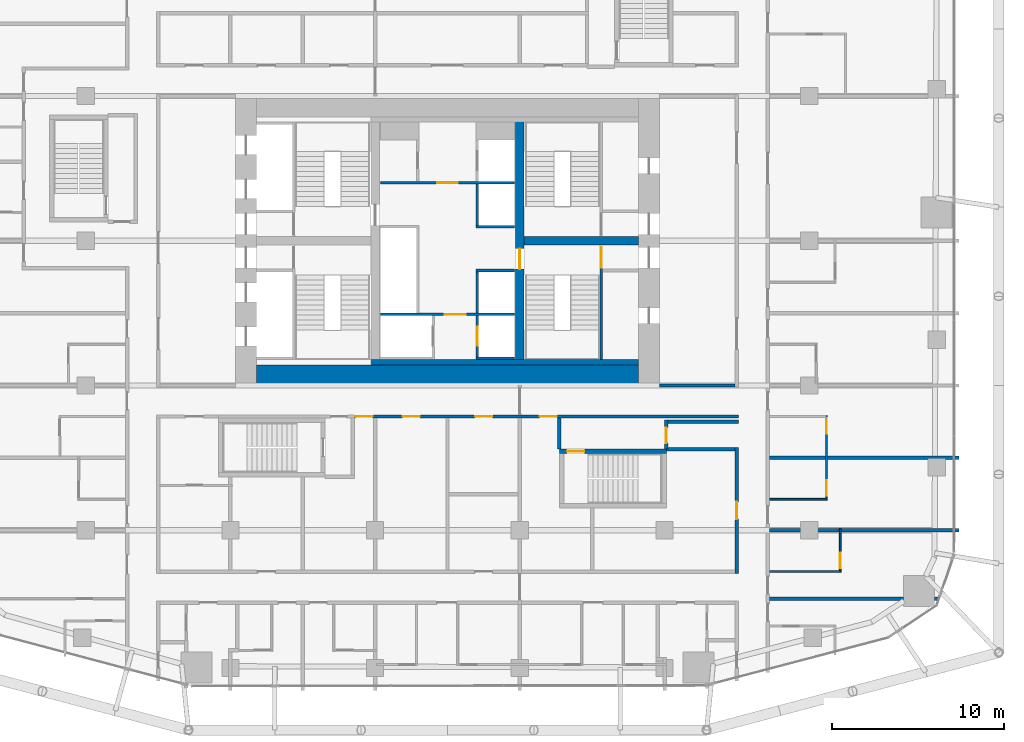
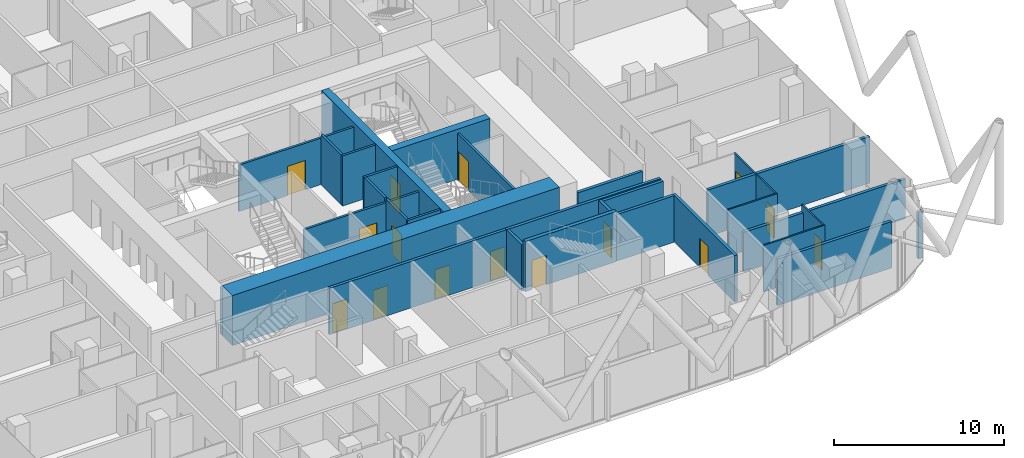
# One storey, part 31 of 38: 30 walls, 15 doors, 15 openings.
"""IFC4 building model written with IfcOpenShell, lengths in metres."""

import ifcopenshell
import ifcopenshell.guid

model = None  # the IFC model being written
_history = None  # IfcOwnerHistory: only IFC2X3 demands one
_inside = {}  # id of a spatial element -> (the spatial element, [elements in it])
_under = {}  # id of a project, library or spatial element -> (it, [spatial elements below it])
_declared = {}  # id of a project -> (the project, [libraries it declares])
_typed = {}  # id of a type object -> (the type object, [elements of that type])
_made_of = {}  # id of a material, layer set ... -> (it, [elements and type objects made of it])


def new_model(schema):
    """Start an empty IFC model of exactly this schema.

    Asked for "IFC4X3", IfcOpenShell would pick the latest addendum, in which some entities
    have other attributes; the version numbers below select the first issue.
    IFC2X3 requires an IfcOwnerHistory on every rooted entity: one is made here for all.
    """
    global model, _history
    if schema == "IFC4X3":
        model = ifcopenshell.file(schema_version=(4, 3, 0, 0))
    else:
        model = ifcopenshell.file(schema=schema)
    _inside.clear()
    _under.clear()
    _declared.clear()
    _typed.clear()
    _made_of.clear()
    _history = None
    if model.schema == "IFC2X3":
        org = make("IfcOrganization", Name="unknown")
        user = make(
            "IfcPersonAndOrganization",
            ThePerson=make("IfcPerson", FamilyName="unknown"),
            TheOrganization=org,
        )
        app = make(
            "IfcApplication",
            ApplicationDeveloper=org,
            Version="unknown",
            ApplicationFullName="unknown",
            ApplicationIdentifier="unknown",
        )
        _history = make(
            "IfcOwnerHistory",
            OwningUser=user,
            OwningApplication=app,
            ChangeAction="ADDED",
            CreationDate=0,
        )
    return model


def make(cls, **values):
    """One entity of the class cls with the attributes given. An attribute that is None is left unset."""
    return model.create_entity(
        cls, **{name: value for name, value in values.items() if value is not None}
    )


def rooted(cls, **values):
    """An entity with a GlobalId (a new one), such as an element, a storey or a relation."""
    return make(cls, GlobalId=ifcopenshell.guid.new(), OwnerHistory=_history, **values)


def si_unit(unit_type, name, prefix=None):
    """IfcSIUnit, for example si_unit("LENGTHUNIT", "METRE", prefix="MILLI")."""
    return make("IfcSIUnit", UnitType=unit_type, Prefix=prefix, Name=name)


def assignment(units):
    """IfcUnitAssignment: the units of a project."""
    return None if units is None else make("IfcUnitAssignment", Units=units)


def point(xyz):
    """IfcCartesianPoint."""
    return None if xyz is None else make("IfcCartesianPoint", Coordinates=xyz)


def direction(xyz):
    """IfcDirection."""
    return None if xyz is None else make("IfcDirection", DirectionRatios=xyz)


def frame(location, z_axis=None, x_axis=None):
    """IfcAxis2Placement3D, a coordinate frame: its origin and axes. An axis left out is left unset."""
    return make(
        "IfcAxis2Placement3D",
        Location=point(location),
        Axis=direction(z_axis),
        RefDirection=direction(x_axis),
    )


def frame_2d(location, x_axis=None):
    """IfcAxis2Placement2D, a coordinate frame in the plane: its origin and x axis."""
    return make(
        "IfcAxis2Placement2D", Location=point(location), RefDirection=direction(x_axis)
    )


def origin():
    """The frame at (0, 0, 0) with its axes left unset."""
    return frame((0.0, 0.0, 0.0))


def place(relative_to, where):
    """IfcLocalPlacement: puts the frame where relative to a parent placement (None: the world)."""
    return make(
        "IfcLocalPlacement", PlacementRelTo=relative_to, RelativePlacement=where
    )


def context(
    kind, dimensions, precision=None, world=None, true_north=None, identifier=None
):
    """IfcGeometricRepresentationContext, for example the 3D "Model" context."""
    return make(
        "IfcGeometricRepresentationContext",
        ContextIdentifier=identifier,
        ContextType=kind,
        CoordinateSpaceDimension=dimensions,
        Precision=precision,
        WorldCoordinateSystem=world,
        TrueNorth=true_north,
    )


def subcontext(parent, identifier, kind, view, scale=None):
    """IfcGeometricRepresentationSubContext, for example "Body" below "Model"."""
    return make(
        "IfcGeometricRepresentationSubContext",
        ContextIdentifier=identifier,
        ContextType=kind,
        ParentContext=parent,
        TargetScale=scale,
        TargetView=view,
    )


def project(units=None, contexts=None):
    """IfcProject with its units and contexts."""
    return rooted(
        "IfcProject",
        Name="project",
        RepresentationContexts=contexts,
        UnitsInContext=assignment(units),
    )


def spatial(cls, under=None, at=None, **own):
    """A site, building, storey or space (cls), placed at a placement, below another one or the project."""
    s = rooted(cls, ObjectPlacement=at, **own)
    if under is not None:
        _under.setdefault(under.id(), (under, []))[1].append(s)
    return s


def profile(cls, at=None, kind="AREA", **sizes):
    """A parametric profile (cls). Its sizes go by their IFC names, for example OverallWidth=200.0."""
    return make(cls, ProfileType=kind, Position=at, **sizes)


def rectangle(**sizes):
    """IfcRectangleProfileDef."""
    return profile("IfcRectangleProfileDef", **sizes)


def extrude(swept, where, along, depth):
    """IfcExtrudedAreaSolid: the profile swept, set in the frame where, extruded along a direction by depth."""
    return make(
        "IfcExtrudedAreaSolid",
        SweptArea=swept,
        Position=where,
        ExtrudedDirection=direction(along),
        Depth=depth,
    )


def shape(context_of_items, identifier, shape_type, items):
    """IfcShapeRepresentation: the items that make up one representation, for example the "Body"."""
    return make(
        "IfcShapeRepresentation",
        ContextOfItems=context_of_items,
        RepresentationIdentifier=identifier,
        RepresentationType=shape_type,
        Items=items,
    )


def material(Name=None, Category=None):
    """IfcMaterial."""
    return make("IfcMaterial", Name=Name, Category=Category)


def layer(
    of_material, thickness, ventilated=None, Name=None, Category=None, Priority=None
):
    """IfcMaterialLayer: one layer of a wall or slab, of a material (None: an air gap)."""
    return make(
        "IfcMaterialLayer",
        Material=of_material,
        LayerThickness=thickness,
        IsVentilated=ventilated,
        Name=Name,
        Category=Category,
        Priority=Priority,
    )


def layer_set(layers, Name=None):
    """IfcMaterialLayerSet."""
    return make("IfcMaterialLayerSet", MaterialLayers=layers, LayerSetName=Name)


def made_of(thing, what):
    """Note that an element or type object is made of a material, layer set ...; save() writes the relation."""
    if what is not None:
        _made_of.setdefault(what.id(), (what, []))[1].append(thing)
    return thing


def type_object(cls, material=None, **own):
    """A type object (cls), such as IfcWallType, which elements share."""
    return made_of(rooted(cls, **own), material)


def element(
    cls,
    number,
    at=None,
    inside=None,
    cuts=None,
    type_object=None,
    material=None,
    context=None,
    identifier="Body",
    shape_type=None,
    held_by="IfcProductDefinitionShape",
    body=None,
    shapes=None,
    **own,
):
    """One element of the class cls, such as IfcWall. Its Tag is "e" and its number.

    at: its placement. inside: the storey or other place that contains it. cuts: it is an
    opening in that element (IfcRelVoidsElement). A single representation is given by context,
    identifier, shape_type and body (its items); several are given by shapes. held_by: the class
    of the entity that holds the representations. save() writes the other relations.
    """
    e = rooted(cls, Tag="e%d" % number, ObjectPlacement=at, **own)
    if body is not None:
        shapes = [shape(context, identifier, shape_type, body)]
    if shapes is not None:
        e.Representation = make(held_by, Representations=shapes)
    if inside is not None:
        _inside.setdefault(inside.id(), (inside, []))[1].append(e)
    if cuts is not None:
        rooted(
            "IfcRelVoidsElement", RelatingBuildingElement=cuts, RelatedOpeningElement=e
        )
    if type_object is not None:
        _typed.setdefault(type_object.id(), (type_object, []))[1].append(e)
    return made_of(e, material)


def fill(opening, filler):
    """IfcRelFillsElement: the door or window that sits in an opening."""
    return rooted(
        "IfcRelFillsElement",
        RelatingOpeningElement=opening,
        RelatedBuildingElement=filler,
    )


def aggregate(whole, parts):
    """IfcRelAggregates: a whole, such as a stair, and the parts it consists of."""
    return rooted("IfcRelAggregates", RelatingObject=whole, RelatedObjects=parts)


def save(model, path):
    """Write the relations noted so far, then the file.

    IfcRelAggregates (storeys below a building ...), IfcRelContainedInSpatialStructure (elements
    in a storey), IfcRelDefinesByType, IfcRelAssociatesMaterial and IfcRelDeclares: one each for
    every whole, place, type object, material and project.
    """
    for whole, parts in _under.values():
        aggregate(whole, parts)
    for where, things in _inside.values():
        rooted(
            "IfcRelContainedInSpatialStructure",
            RelatedElements=things,
            RelatingStructure=where,
        )
    for kind, things in _typed.values():
        rooted("IfcRelDefinesByType", RelatedObjects=things, RelatingType=kind)
    for what, things in _made_of.values():
        rooted("IfcRelAssociatesMaterial", RelatedObjects=things, RelatingMaterial=what)
    for by, libraries in _declared.values():
        rooted("IfcRelDeclares", RelatingContext=by, RelatedDefinitions=libraries)
    model.write(path)


model = new_model("IFC4")

# Units and contexts
model_context = context("Model", 3, precision=1e-05, world=origin(), true_north=direction((0.0, 1.0)))
body_context = subcontext(model_context, "Body", "Model", "MODEL_VIEW")
ifc_project = project(units=[si_unit("LENGTHUNIT", "METRE"), si_unit("AREAUNIT", "SQUARE_METRE"), si_unit("VOLUMEUNIT", "CUBIC_METRE"), si_unit("PLANEANGLEUNIT", "RADIAN"), si_unit("MASSUNIT", "GRAM", prefix="KILO")], contexts=[model_context])

# Site, building, storey
site_placement = place(None, origin())
site = spatial("IfcSite", under=ifc_project, at=site_placement, CompositionType="ELEMENT")
building_placement = place(site_placement, origin())
building = spatial("IfcBuilding", under=site, at=building_placement, Name="Marenta Gate Hotel Tower", CompositionType="ELEMENT")
storey_placement = place(building_placement, frame((0.0, 0.0, 54.5)))
storey = spatial("IfcBuildingStorey", under=building, at=storey_placement, Name="L11", CompositionType="ELEMENT", Elevation=54.5)

# Walls
ifc_material_1 = material(Name="Concrete blockwork", Category="masonry")
ifc_layer_1 = layer(ifc_material_1, 0.199951171875)
ifc_layer_set_1 = layer_set([ifc_layer_1], Name="Concrete blockwork")
wall_type_1 = type_object("IfcWallType", Name="Core boundary wall 200 REI 180", PredefinedType="PARTITIONING", material=ifc_layer_set_1)
wall_1_placement = place(storey_placement, frame((12.300048828125, 0.0, 0.0), z_axis=(0.0, 0.0, 1.0), x_axis=(1.0, 0.0, 0.0)))
element("IfcWall", 1, at=wall_1_placement, inside=storey, type_object=wall_type_1, Name="L11-CP-EW-ES", PredefinedType="PARTITIONING", context=body_context, shape_type="SweptSolid", body=[
    extrude(rectangle(XDim=4.39990234375, YDim=0.199951171875, at=frame_2d((2.199951171875, 0.0))), origin(), (0.0, 0.0, 1.0), 2.840087890625),
])
ifc_material_2 = material(Name="Concrete C40", Category="concrete")
ifc_layer_2 = layer(ifc_material_2, 0.300048828125)
ifc_layer_set_2 = layer_set([ifc_layer_2], Name="Concrete C40")
wall_type_2 = type_object("IfcWallType", Name="Core lining wall 300 REI 180", PredefinedType="PARTITIONING", material=ifc_layer_set_2)
wall_2_placement = place(storey_placement, frame((-11.10009765625, 1.35009765625, 0.0), z_axis=(0.0, 0.0, 1.0), x_axis=(1.0, 0.0, 0.0)))
element("IfcWall", 2, at=wall_2_placement, inside=storey, type_object=wall_type_2, Name="L11-CP-LN-S", PredefinedType="PARTITIONING", context=body_context, shape_type="SweptSolid", body=[
    extrude(rectangle(XDim=22.2001953125, YDim=0.300048828125, at=frame_2d((11.10009765625, 0.0))), origin(), (0.0, 0.0, 1.0), 3.340087890625),
])

# Wall, opening, door
ifc_material_3 = material(Name="Concrete blockwork", Category="masonry")
ifc_layer_3 = layer(ifc_material_3, 0.14990234375)
ifc_layer_set_3 = layer_set([ifc_layer_3], Name="Concrete blockwork")
wall_type_3 = type_object("IfcWallType", Name="Core lobby partition 150 REI 180", PredefinedType="PARTITIONING", material=ifc_layer_set_3)
wall_3_placement = place(storey_placement, frame((-3.89990234375, 4.125, 0.0), z_axis=(0.0, 0.0, 1.0), x_axis=(1.0, 0.0, 0.0)))
wall_3 = element("IfcWall", 3, at=wall_3_placement, inside=storey, type_object=wall_type_3, Name="L11-CP-CW-S", PredefinedType="PARTITIONING", context=body_context, shape_type="SweptSolid", body=[
    extrude(rectangle(XDim=7.7998046875, YDim=0.14990234375, at=frame_2d((3.89990234375, 0.0))), origin(), (0.0, 0.0, 1.0), 3.340087890625),
])
opening_1_placement = place(wall_3_placement, frame((3.75, 0.0, 0.0)))
opening_1 = element("IfcOpeningElement", 4, at=opening_1_placement, cuts=wall_3, Name="Opening FD-FFS", PredefinedType="OPENING", context=body_context, shape_type="SweptSolid", body=[
    extrude(rectangle(XDim=1.199951171875, YDim=2.10009765625, at=frame_2d((0.60009765625, 1.050048828125))), frame((0.0, 0.074951171875, 0.0), z_axis=(0.0, -1.0, 0.0), x_axis=(1.0, 0.0, 0.0)), (0.0, 0.0, 1.0), 0.14990234375),
])
ifc_material_4 = material(Name="Steel", Category="steel")
door_type_1 = type_object("IfcDoorType", Name="Core lobby door 1200x2100 FD60", OperationType="SINGLE_SWING_LEFT", PredefinedType="DOOR", material=ifc_material_4)
door_1_placement = place(opening_1_placement, origin())
door_1 = element("IfcDoor", 5, at=door_1_placement, inside=storey, type_object=door_type_1, Name="FD-FFS", OperationType="SINGLE_SWING_LEFT", OverallHeight=2.10009765625, OverallWidth=1.199951171875, PredefinedType="DOOR", context=body_context, shape_type="SweptSolid", body=[
    extrude(rectangle(XDim=1.199951171875, YDim=2.10009765625, at=frame_2d((0.60009765625, 1.050048828125))), frame((0.0, 0.02490234375, 0.0), z_axis=(0.0, -1.0, 0.0), x_axis=(1.0, 0.0, 0.0)), (0.0, 0.0, 1.0), 0.050048828125),
])
fill(opening_1, door_1)

wall_4_placement = place(storey_placement, frame((-3.89990234375, 11.77490234375, 0.0), z_axis=(0.0, 0.0, 1.0), x_axis=(1.0, 0.0, 0.0)))
wall_4 = element("IfcWall", 6, at=wall_4_placement, inside=storey, type_object=wall_type_3, Name="L11-CP-CW-N", PredefinedType="PARTITIONING", context=body_context, shape_type="SweptSolid", body=[
    extrude(rectangle(XDim=7.7998046875, YDim=0.14990234375, at=frame_2d((3.89990234375, 0.0))), origin(), (0.0, 0.0, 1.0), 3.340087890625),
])
opening_2_placement = place(wall_4_placement, frame((3.300048828125, 0.0, 0.0)))
opening_2 = element("IfcOpeningElement", 7, at=opening_2_placement, cuts=wall_4, Name="Opening FD-FFN", PredefinedType="OPENING", context=body_context, shape_type="SweptSolid", body=[
    extrude(rectangle(XDim=1.199951171875, YDim=2.10009765625, at=frame_2d((0.60009765625, 1.050048828125))), frame((0.0, 0.074951171875, 0.0), z_axis=(0.0, -1.0, 0.0), x_axis=(1.0, 0.0, 0.0)), (0.0, 0.0, 1.0), 0.14990234375),
])
door_2_placement = place(opening_2_placement, origin())
door_2 = element("IfcDoor", 8, at=door_2_placement, inside=storey, type_object=door_type_1, Name="FD-FFN", OperationType="SINGLE_SWING_LEFT", OverallHeight=2.10009765625, OverallWidth=1.199951171875, PredefinedType="DOOR", context=body_context, shape_type="SweptSolid", body=[
    extrude(rectangle(XDim=1.199951171875, YDim=2.10009765625, at=frame_2d((0.60009765625, 1.050048828125))), frame((0.0, 0.02490234375, 0.0), z_axis=(0.0, -1.0, 0.0), x_axis=(1.0, 0.0, 0.0)), (0.0, 0.0, 1.0), 0.050048828125),
])
fill(opening_2, door_2)

ifc_material_5 = material(Name="Concrete C40", Category="concrete")
ifc_layer_4 = layer(ifc_material_5, 0.14990234375)
ifc_layer_set_4 = layer_set([ifc_layer_4], Name="Concrete C40")
wall_type_4 = type_object("IfcWallType", Name="Core shaft wall 150 REI 180", PredefinedType="SHEAR", material=ifc_layer_set_4)
wall_5_placement = place(storey_placement, frame((1.72509765625, 1.64990234375, 0.0), z_axis=(0.0, 0.0, 1.0), x_axis=(0.0, 1.0, 0.0)))
wall_5 = element("IfcWall", 9, at=wall_5_placement, inside=storey, type_object=wall_type_4, Name="L11-SHF-CE-S-ls", PredefinedType="SHEAR", context=body_context, shape_type="SweptSolid", body=[
    extrude(rectangle(XDim=2.400146484375, YDim=0.14990234375, at=frame_2d((1.2001953125, 0.0))), origin(), (0.0, 0.0, 1.0), 3.60009765625),
])
opening_3_placement = place(wall_5_placement, frame((0.64990234375, 0.0, 0.0)))
opening_3 = element("IfcOpeningElement", 10, at=opening_3_placement, cuts=wall_5, Name="Opening LD-SV1", PredefinedType="OPENING", context=body_context, shape_type="SweptSolid", body=[
    extrude(rectangle(XDim=1.10009765625, YDim=2.10009765625, at=frame_2d((0.550048828125, 1.050048828125))), frame((0.0, 0.074951171875, 0.0), z_axis=(0.0, -1.0, 0.0), x_axis=(1.0, 0.0, 0.0)), (0.0, 0.0, 1.0), 0.14990234375),
])
ifc_material_6 = material(Name="Steel", Category="steel")
door_type_2 = type_object("IfcDoorType", Name="Core lift landing door 1100x2100 E 60", OperationType="SLIDING_TO_LEFT", PredefinedType="DOOR", material=ifc_material_6)
door_3_placement = place(opening_3_placement, origin())
door_3 = element("IfcDoor", 11, at=door_3_placement, inside=storey, type_object=door_type_2, Name="LD-SV1", OperationType="SLIDING_TO_LEFT", OverallHeight=2.10009765625, OverallWidth=1.10009765625, PredefinedType="DOOR", context=body_context, shape_type="SweptSolid", body=[
    extrude(rectangle(XDim=1.10009765625, YDim=2.10009765625, at=frame_2d((0.550048828125, 1.050048828125))), frame((0.0, 0.02490234375, 0.0), z_axis=(0.0, -1.0, 0.0), x_axis=(1.0, 0.0, 0.0)), (0.0, 0.0, 1.0), 0.050048828125),
])
fill(opening_3, door_3)

# Walls
for number, where, z_axis, x_axis, name in (
    (12, (1.64990234375, 1.574951171875, 0.0), (0.0, 0.0, 1.0), (1.0, 0.0, 0.0), "L11-SHF-CE-S-bot"),
    (13, (1.64990234375, 6.675048828125, 0.0), (0.0, 0.0, 1.0), (1.0, 0.0, 0.0), "L11-SHF-CE-sep1"),
    (14, (1.64990234375, 9.22509765625, 0.0), (0.0, 0.0, 1.0), (1.0, 0.0, 0.0), "L11-SHF-CE-sep2"),
):
    element("IfcWall", number, at=place(storey_placement, frame(where, z_axis=z_axis, x_axis=x_axis)), inside=storey, type_object=wall_type_4, Name=name, PredefinedType="SHEAR", context=body_context, shape_type="SweptSolid", body=[
        extrude(rectangle(XDim=2.25, YDim=0.14990234375, at=frame_2d((1.125, 0.0))), origin(), (0.0, 0.0, 1.0), 3.60009765625),
    ])
wall_6_placement = place(storey_placement, frame((1.72509765625, 4.199951171875, 0.0), z_axis=(0.0, 0.0, 1.0), x_axis=(0.0, 1.0, 0.0)))
element("IfcWall", 15, at=wall_6_placement, inside=storey, type_object=wall_type_4, Name="L11-SHF-CE-front-1", PredefinedType="SHEAR", context=body_context, shape_type="SweptSolid", body=[
    extrude(rectangle(XDim=2.400146484375, YDim=0.14990234375, at=frame_2d((1.2001953125, 0.0))), origin(), (0.0, 0.0, 1.0), 3.60009765625),
])
wall_7_placement = place(storey_placement, frame((1.72509765625, 9.300048828125, 0.0), z_axis=(0.0, 0.0, 1.0), x_axis=(0.0, 1.0, 0.0)))
element("IfcWall", 16, at=wall_7_placement, inside=storey, type_object=wall_type_4, Name="L11-SHF-CE-front-2", PredefinedType="SHEAR", context=body_context, shape_type="SweptSolid", body=[
    extrude(rectangle(XDim=2.39990234375, YDim=0.14990234375, at=frame_2d((1.199951171875, 0.0))), origin(), (0.0, 0.0, 1.0), 3.60009765625),
])

# Wall, opening, door
ifc_material_7 = material(Name="Concrete C40", Category="concrete")
ifc_layer_5 = layer(ifc_material_7, 0.14990234375)
ifc_layer_set_5 = layer_set([ifc_layer_5], Name="Concrete C40")
wall_type_5 = type_object("IfcWallType", Name="Core stair enclosure wall 150 REI 180", PredefinedType="SHEAR", material=ifc_layer_set_5)
wall_8_placement = place(storey_placement, frame((8.925048828125, 1.5, 0.0), z_axis=(0.0, 0.0, 1.0), x_axis=(0.0, 1.0, 0.0)))
wall_8 = element("IfcWall", 17, at=wall_8_placement, inside=storey, type_object=wall_type_5, Name="L11-SHF-SW-ES-3", PredefinedType="SHEAR", context=body_context, shape_type="SweptSolid", body=[
    extrude(rectangle(XDim=6.60009765625, YDim=0.14990234375, at=frame_2d((3.300048828125, 0.0))), origin(), (0.0, 0.0, 1.0), 3.340087890625),
])
opening_4_placement = place(wall_8_placement, frame((5.324951171875, 0.0, 0.0)))
opening_4 = element("IfcOpeningElement", 18, at=opening_4_placement, cuts=wall_8, Name="Opening SD-ES", PredefinedType="OPENING", context=body_context, shape_type="SweptSolid", body=[
    extrude(rectangle(XDim=1.199951171875, YDim=2.10009765625, at=frame_2d((0.60009765625, 1.050048828125))), frame((0.0, 0.074951171875, 0.0), z_axis=(0.0, -1.0, 0.0), x_axis=(1.0, 0.0, 0.0)), (0.0, 0.0, 1.0), 0.14990234375),
])
ifc_material_8 = material(Name="Steel", Category="steel")
door_type_3 = type_object("IfcDoorType", Name="Core stair door 1200x2100 FD60", OperationType="SINGLE_SWING_LEFT", PredefinedType="DOOR", material=ifc_material_8)
door_4_placement = place(opening_4_placement, origin())
door_4 = element("IfcDoor", 19, at=door_4_placement, inside=storey, type_object=door_type_3, Name="SD-ES", OperationType="SINGLE_SWING_LEFT", OverallHeight=2.10009765625, OverallWidth=1.199951171875, PredefinedType="DOOR", context=body_context, shape_type="SweptSolid", body=[
    extrude(rectangle(XDim=1.199951171875, YDim=2.10009765625, at=frame_2d((0.60009765625, 1.050048828125))), frame((0.0, 0.02490234375, 0.0), z_axis=(0.0, -1.0, 0.0), x_axis=(1.0, 0.0, 0.0)), (0.0, 0.0, 1.0), 0.050048828125),
])
fill(opening_4, door_4)

# Wall
ifc_material_9 = material(Name="Concrete C80", Category="concrete")
ifc_layer_6 = layer(ifc_material_9, 1.199951171875)
ifc_layer_set_6 = layer_set([ifc_layer_6], Name="Concrete C80")
wall_type_6 = type_object("IfcWallType", Name="Core wall 1200 C80", PredefinedType="SHEAR", material=ifc_layer_set_6)
wall_9_placement = place(storey_placement, frame((-11.10009765625, 0.60009765625, 0.0), z_axis=(0.0, 0.0, 1.0), x_axis=(1.0, 0.0, 0.0)))
element("IfcWall", 20, at=wall_9_placement, inside=storey, type_object=wall_type_6, Name="L11-CORE-S", PredefinedType="SHEAR", context=body_context, shape_type="SweptSolid", body=[
    extrude(rectangle(XDim=22.2001953125, YDim=1.199951171875, at=frame_2d((11.10009765625, 0.0))), origin(), (0.0, 0.0, 1.0), 3.60009765625),
])

# Wall, opening, door
ifc_material_10 = material(Name="Concrete C80", Category="concrete")
ifc_layer_7 = layer(ifc_material_10, 0.5)
ifc_layer_set_7 = layer_set([ifc_layer_7], Name="Concrete C80")
wall_type_7 = type_object("IfcWallType", Name="Core web 500 C80", PredefinedType="SHEAR", material=ifc_layer_set_7)
wall_10_placement = place(storey_placement, frame((4.199951171875, 1.199951171875, 0.0), z_axis=(0.0, 0.0, 1.0), x_axis=(0.0, 1.0, 0.0)))
wall_10 = element("IfcWall", 21, at=wall_10_placement, inside=storey, type_object=wall_type_7, Name="L11-CORE-W2", PredefinedType="SHEAR", context=body_context, shape_type="SweptSolid", body=[
    extrude(rectangle(XDim=14.400146484375, YDim=0.5, at=frame_2d((7.2001953125, 0.0))), origin(), (0.0, 0.0, 1.0), 3.60009765625),
])
opening_5_placement = place(wall_10_placement, frame((5.550048828125, 0.0, 0.0)))
opening_5 = element("IfcOpeningElement", 22, at=opening_5_placement, cuts=wall_10, Name="Opening WD-E", PredefinedType="OPENING", context=body_context, shape_type="SweptSolid", body=[
    extrude(rectangle(XDim=1.199951171875, YDim=2.10009765625, at=frame_2d((0.60009765625, 1.050048828125))), frame((0.0, 0.25, 0.0), z_axis=(0.0, -1.0, 0.0), x_axis=(1.0, 0.0, 0.0)), (0.0, 0.0, 1.0), 0.5),
])
door_5_placement = place(opening_5_placement, origin())
door_5 = element("IfcDoor", 23, at=door_5_placement, inside=storey, type_object=door_type_3, Name="WD-E", OperationType="SINGLE_SWING_LEFT", OverallHeight=2.10009765625, OverallWidth=1.199951171875, PredefinedType="DOOR", context=body_context, shape_type="SweptSolid", body=[
    extrude(rectangle(XDim=1.199951171875, YDim=2.10009765625, at=frame_2d((0.60009765625, 1.050048828125))), frame((0.0, 0.02490234375, 0.0), z_axis=(0.0, -1.0, 0.0), x_axis=(1.0, 0.0, 0.0)), (0.0, 0.0, 1.0), 0.050048828125),
])
fill(opening_5, door_5)

# Wall
wall_11_placement = place(storey_placement, frame((4.449951171875, 8.39990234375, 0.0), z_axis=(0.0, 0.0, 1.0), x_axis=(1.0, 0.0, 0.0)))
element("IfcWall", 24, at=wall_11_placement, inside=storey, type_object=wall_type_7, Name="L11-CORE-W4", PredefinedType="SHEAR", context=body_context, shape_type="SweptSolid", body=[
    extrude(rectangle(XDim=6.650146484375, YDim=0.5, at=frame_2d((3.3251953125, 0.0))), origin(), (0.0, 0.0, 1.0), 3.60009765625),
])

# Wall, opening, door
ifc_material_11 = material(Name="Concrete C40", Category="concrete")
ifc_layer_8 = layer(ifc_material_11, 0.25)
ifc_layer_set_8 = layer_set([ifc_layer_8], Name="Concrete C40")
wall_type_8 = type_object("IfcWallType", Name="Remote stair enclosure wall 250 REI 180", PredefinedType="SHEAR", material=ifc_layer_set_8)
wall_12_placement = place(storey_placement, frame((6.5, -3.824951171875, 0.10009765625), z_axis=(0.0, 0.0, 1.0), x_axis=(1.0, 0.0, 0.0)))
wall_12 = element("IfcWall", 25, at=wall_12_placement, inside=storey, type_object=wall_type_8, Name="L11-RS-Z1-1-W2", PredefinedType="SHEAR", context=body_context, shape_type="SweptSolid", body=[
    extrude(rectangle(XDim=6.199951171875, YDim=0.25, at=frame_2d((3.10009765625, 0.0))), origin(), (0.0, 0.0, 1.0), 3.599853515625),
])
opening_6_placement = place(wall_12_placement, frame((0.449951171875, 0.0, 0.0)))
opening_6 = element("IfcOpeningElement", 26, at=opening_6_placement, cuts=wall_12, Name="Opening VD", PredefinedType="OPENING", context=body_context, shape_type="SweptSolid", body=[
    extrude(rectangle(XDim=1.0, YDim=2.10009765625, at=frame_2d((0.5, 1.050048828125))), frame((0.0, 0.125, 0.0), z_axis=(0.0, -1.0, 0.0), x_axis=(1.0, 0.0, 0.0)), (0.0, 0.0, 1.0), 0.25),
])
ifc_material_12 = material(Name="Steel", Category="steel")
door_type_4 = type_object("IfcDoorType", Name="Stair vestibule door 1000x2100 FD60", OperationType="SINGLE_SWING_LEFT", PredefinedType="DOOR", material=ifc_material_12)
door_6_placement = place(opening_6_placement, origin())
door_6 = element("IfcDoor", 27, at=door_6_placement, inside=storey, type_object=door_type_4, Name="VD", OperationType="SINGLE_SWING_LEFT", OverallHeight=2.10009765625, OverallWidth=1.0, PredefinedType="DOOR", context=body_context, shape_type="SweptSolid", body=[
    extrude(rectangle(XDim=1.0, YDim=2.10009765625, at=frame_2d((0.5, 1.050048828125))), frame((0.0, 0.02490234375, 0.0), z_axis=(0.0, -1.0, 0.0), x_axis=(1.0, 0.0, 0.0)), (0.0, 0.0, 1.0), 0.050048828125),
])
fill(opening_6, door_6)

ifc_material_13 = material(Name="Gypsum board on steel stud", Category="steel")
ifc_layer_9 = layer(ifc_material_13, 0.199951171875)
ifc_layer_set_9 = layer_set([ifc_layer_9], Name="Gypsum board on steel stud")
wall_type_9 = type_object("IfcWallType", Name="Room corridor wall 200 EI 60", PredefinedType="PARTITIONING", material=ifc_layer_set_9)
wall_13_placement = place(storey_placement, frame((16.800048828125, -10.89990234375, 0.0), z_axis=(0.0, 0.0, 1.0), x_axis=(0.0, 1.0, 0.0)))
wall_13 = element("IfcWall", 28, at=wall_13_placement, inside=storey, type_object=wall_type_9, Name="L11-PTN-W011", PredefinedType="PARTITIONING", context=body_context, shape_type="SweptSolid", body=[
    extrude(rectangle(XDim=7.2998046875, YDim=0.199951171875, at=frame_2d((3.64990234375, 0.0))), origin(), (0.0, 0.0, 1.0), 3.340087890625),
])
opening_7_placement = place(wall_13_placement, frame((3.14990234375, 0.0, 0.0)))
opening_7 = element("IfcOpeningElement", 29, at=opening_7_placement, cuts=wall_13, Name="Opening G04-72", PredefinedType="OPENING", context=body_context, shape_type="SweptSolid", body=[
    extrude(rectangle(XDim=1.0, YDim=2.10009765625, at=frame_2d((0.5, 1.050048828125))), frame((0.0, 0.10009765625, 0.0), z_axis=(0.0, -1.0, 0.0), x_axis=(1.0, 0.0, 0.0)), (0.0, 0.0, 1.0), 0.199951171875),
])
ifc_material_14 = material(Name="Timber door leaf", Category="wood")
door_type_5 = type_object("IfcDoorType", Name="Room amenity door 1000x2100 EI 30", OperationType="NOTDEFINED", PredefinedType="DOOR", material=ifc_material_14)
door_7_placement = place(opening_7_placement, origin())
door_7 = element("IfcDoor", 30, at=door_7_placement, inside=storey, type_object=door_type_5, Name="L11-PD-D072", OperationType="SINGLE_SWING_RIGHT", OverallHeight=2.10009765625, OverallWidth=1.0, PredefinedType="DOOR", context=body_context, shape_type="SweptSolid", body=[
    extrude(rectangle(XDim=1.0, YDim=2.10009765625, at=frame_2d((0.5, 1.050048828125))), frame((0.0, 0.02490234375, 0.0), z_axis=(0.0, -1.0, 0.0), x_axis=(1.0, 0.0, 0.0)), (0.0, 0.0, 1.0), 0.050048828125),
])
fill(opening_7, door_7)

# Wall
wall_14_placement = place(storey_placement, frame((12.699951171875, -3.699951171875, 0.0), z_axis=(0.0, 0.0, 1.0), x_axis=(1.0, 0.0, 0.0)))
element("IfcWall", 31, at=wall_14_placement, inside=storey, type_object=wall_type_9, Name="L11-PTN-W058", PredefinedType="PARTITIONING", context=body_context, shape_type="SweptSolid", body=[
    extrude(rectangle(XDim=4.0, YDim=0.199951171875, at=frame_2d((2.0, 0.0))), origin(), (0.0, 0.0, 1.0), 3.340087890625),
])

# Wall, openings, doors
wall_15_placement = place(storey_placement, frame((-5.60009765625, -1.800048828125, 0.0), z_axis=(0.0, 0.0, 1.0), x_axis=(1.0, 0.0, 0.0)))
wall_15 = element("IfcWall", 32, at=wall_15_placement, inside=storey, type_object=wall_type_9, Name="L11-PTN-W064", PredefinedType="PARTITIONING", context=body_context, shape_type="SweptSolid", body=[
    extrude(rectangle(XDim=12.2001953125, YDim=0.199951171875, at=frame_2d((6.10009765625, 0.0))), origin(), (0.0, 0.0, 1.0), 3.340087890625),
])
opening_8_placement = place(wall_15_placement, frame((0.25, 0.0, 0.0)))
opening_8 = element("IfcOpeningElement", 33, at=opening_8_placement, cuts=wall_15, Name="Opening G04-07", PredefinedType="OPENING", context=body_context, shape_type="SweptSolid", body=[
    extrude(rectangle(XDim=1.0, YDim=2.10009765625, at=frame_2d((0.5, 1.050048828125))), frame((0.0, 0.10009765625, 0.0), z_axis=(0.0, -1.0, 0.0), x_axis=(1.0, 0.0, 0.0)), (0.0, 0.0, 1.0), 0.199951171875),
])
opening_9_placement = place(wall_15_placement, frame((3.0, 0.0, 0.0)))
opening_9 = element("IfcOpeningElement", 34, at=opening_9_placement, cuts=wall_15, Name="Opening G04-08", PredefinedType="OPENING", context=body_context, shape_type="SweptSolid", body=[
    extrude(rectangle(XDim=1.0, YDim=2.10009765625, at=frame_2d((0.5, 1.050048828125))), frame((0.0, 0.10009765625, 0.0), z_axis=(0.0, -1.0, 0.0), x_axis=(1.0, 0.0, 0.0)), (0.0, 0.0, 1.0), 0.199951171875),
])
opening_10_placement = place(wall_15_placement, frame((10.949951171875, 0.0, 0.0)))
opening_10 = element("IfcOpeningElement", 35, at=opening_10_placement, cuts=wall_15, Name="Opening G04-09", PredefinedType="OPENING", context=body_context, shape_type="SweptSolid", body=[
    extrude(rectangle(XDim=1.0, YDim=2.10009765625, at=frame_2d((0.5, 1.050048828125))), frame((0.0, 0.10009765625, 0.0), z_axis=(0.0, -1.0, 0.0), x_axis=(1.0, 0.0, 0.0)), (0.0, 0.0, 1.0), 0.199951171875),
])
opening_11_placement = place(wall_15_placement, frame((7.199951171875, 0.0, 0.0)))
opening_11 = element("IfcOpeningElement", 36, at=opening_11_placement, cuts=wall_15, Name="Opening G04-77", PredefinedType="OPENING", context=body_context, shape_type="SweptSolid", body=[
    extrude(rectangle(XDim=1.0, YDim=2.10009765625, at=frame_2d((0.5, 1.050048828125))), frame((0.0, 0.10009765625, 0.0), z_axis=(0.0, -1.0, 0.0), x_axis=(1.0, 0.0, 0.0)), (0.0, 0.0, 1.0), 0.199951171875),
])
door_8_placement = place(opening_8_placement, origin())
door_8 = element("IfcDoor", 37, at=door_8_placement, inside=storey, type_object=door_type_5, Name="L11-PD-D007", OperationType="SINGLE_SWING_RIGHT", OverallHeight=2.10009765625, OverallWidth=1.0, PredefinedType="DOOR", context=body_context, shape_type="SweptSolid", body=[
    extrude(rectangle(XDim=1.0, YDim=2.10009765625, at=frame_2d((0.5, 1.050048828125))), frame((0.0, 0.02490234375, 0.0), z_axis=(0.0, -1.0, 0.0), x_axis=(1.0, 0.0, 0.0)), (0.0, 0.0, 1.0), 0.050048828125),
])
fill(opening_8, door_8)
door_9_placement = place(opening_9_placement, origin())
door_9 = element("IfcDoor", 38, at=door_9_placement, inside=storey, type_object=door_type_5, Name="L11-PD-D008", OperationType="SINGLE_SWING_LEFT", OverallHeight=2.10009765625, OverallWidth=1.0, PredefinedType="DOOR", context=body_context, shape_type="SweptSolid", body=[
    extrude(rectangle(XDim=1.0, YDim=2.10009765625, at=frame_2d((0.5, 1.050048828125))), frame((0.0, 0.02490234375, 0.0), z_axis=(0.0, -1.0, 0.0), x_axis=(1.0, 0.0, 0.0)), (0.0, 0.0, 1.0), 0.050048828125),
])
fill(opening_9, door_9)
door_10_placement = place(opening_10_placement, origin())
door_10 = element("IfcDoor", 39, at=door_10_placement, inside=storey, type_object=door_type_5, Name="L11-PD-D009", OperationType="SINGLE_SWING_RIGHT", OverallHeight=2.10009765625, OverallWidth=1.0, PredefinedType="DOOR", context=body_context, shape_type="SweptSolid", body=[
    extrude(rectangle(XDim=1.0, YDim=2.10009765625, at=frame_2d((0.5, 1.050048828125))), frame((0.0, 0.02490234375, 0.0), z_axis=(0.0, -1.0, 0.0), x_axis=(1.0, 0.0, 0.0)), (0.0, 0.0, 1.0), 0.050048828125),
])
fill(opening_10, door_10)
door_11_placement = place(opening_11_placement, origin())
door_11 = element("IfcDoor", 40, at=door_11_placement, inside=storey, type_object=door_type_5, Name="L11-PD-D077", OperationType="SINGLE_SWING_RIGHT", OverallHeight=2.10009765625, OverallWidth=1.0, PredefinedType="DOOR", context=body_context, shape_type="SweptSolid", body=[
    extrude(rectangle(XDim=1.0, YDim=2.10009765625, at=frame_2d((0.5, 1.050048828125))), frame((0.0, 0.02490234375, 0.0), z_axis=(0.0, -1.0, 0.0), x_axis=(1.0, 0.0, 0.0)), (0.0, 0.0, 1.0), 0.050048828125),
])
fill(opening_11, door_11)

# Wall, opening, door
ifc_material_15 = material(Name="Concrete blockwork", Category="masonry")
ifc_layer_10 = layer(ifc_material_15, 0.199951171875)
ifc_layer_set_10 = layer_set([ifc_layer_10], Name="Concrete blockwork")
wall_type_10 = type_object("IfcWallType", Name="Room corridor wall 200 REI 180", PredefinedType="PARTITIONING", material=ifc_layer_set_10)
wall_16_placement = place(storey_placement, frame((12.699951171875, -3.699951171875, 0.0), z_axis=(0.0, 0.0, 1.0), x_axis=(0.0, 1.0, 0.0)))
wall_16 = element("IfcWall", 41, at=wall_16_placement, inside=storey, type_object=wall_type_10, Name="L11-PTN-W028", PredefinedType="PARTITIONING", context=body_context, shape_type="SweptSolid", body=[
    extrude(rectangle(XDim=1.699951171875, YDim=0.199951171875, at=frame_2d((0.85009765625, 0.0))), origin(), (0.0, 0.0, 1.0), 3.340087890625),
])
opening_12_placement = place(wall_16_placement, frame((0.35009765625, 0.0, 0.0)))
opening_12 = element("IfcOpeningElement", 42, at=opening_12_placement, cuts=wall_16, Name="Opening G04-67", PredefinedType="OPENING", context=body_context, shape_type="SweptSolid", body=[
    extrude(rectangle(XDim=0.89990234375, YDim=2.10009765625, at=frame_2d((0.449951171875, 1.050048828125))), frame((0.0, 0.10009765625, 0.0), z_axis=(0.0, -1.0, 0.0), x_axis=(1.0, 0.0, 0.0)), (0.0, 0.0, 1.0), 0.199951171875),
])
ifc_material_16 = material(Name="Hollow steel door set", Category="steel")
door_type_6 = type_object("IfcDoorType", Name="Stair vestibule door 900x2100 EI 60", OperationType="NOTDEFINED", PredefinedType="DOOR", material=ifc_material_16)
door_12_placement = place(opening_12_placement, origin())
door_12 = element("IfcDoor", 43, at=door_12_placement, inside=storey, type_object=door_type_6, Name="L11-PD-D067", OperationType="SINGLE_SWING_RIGHT", OverallHeight=2.10009765625, OverallWidth=0.89990234375, PredefinedType="DOOR", context=body_context, shape_type="SweptSolid", body=[
    extrude(rectangle(XDim=0.89990234375, YDim=2.10009765625, at=frame_2d((0.449951171875, 1.050048828125))), frame((0.0, 0.02490234375, 0.0), z_axis=(0.0, -1.0, 0.0), x_axis=(1.0, 0.0, 0.0)), (0.0, 0.0, 1.0), 0.050048828125),
])
fill(opening_12, door_12)

# Walls
wall_17_placement = place(storey_placement, frame((12.800048828125, -2.10009765625, 0.0), z_axis=(0.0, 0.0, 1.0), x_axis=(1.0, 0.0, 0.0)))
element("IfcWall", 44, at=wall_17_placement, inside=storey, type_object=wall_type_10, Name="L11-PTN-W059", PredefinedType="PARTITIONING", context=body_context, shape_type="SweptSolid", body=[
    extrude(rectangle(XDim=4.099853515625, YDim=0.199951171875, at=frame_2d((2.0498046875, 0.0))), origin(), (0.0, 0.0, 1.0), 3.340087890625),
])
wall_18_placement = place(storey_placement, frame((6.39990234375, -1.800048828125, 0.0), z_axis=(0.0, 0.0, 1.0), x_axis=(1.0, 0.0, 0.0)))
element("IfcWall", 45, at=wall_18_placement, inside=storey, type_object=wall_type_10, Name="L11-PTN-W066", PredefinedType="PARTITIONING", context=body_context, shape_type="SweptSolid", body=[
    extrude(rectangle(XDim=10.5, YDim=0.199951171875, at=frame_2d((5.25, 0.0))), origin(), (0.0, 0.0, 1.0), 3.340087890625),
])

# Wall, opening, door
ifc_material_17 = material(Name="Gypsum board on steel stud", Category="steel")
ifc_layer_11 = layer(ifc_material_17, 0.10009765625)
ifc_layer_set_11 = layer_set([ifc_layer_11], Name="Gypsum board on steel stud")
wall_type_11 = type_object("IfcWallType", Name="Room partition 100", PredefinedType="PARTITIONING", material=ifc_layer_set_11)
wall_19_placement = place(storey_placement, frame((22.800048828125, -10.75, 0.0), z_axis=(0.0, 0.0, 1.0), x_axis=(0.0, 1.0, 0.0)))
wall_19 = element("IfcWall", 46, at=wall_19_placement, inside=storey, type_object=wall_type_11, Name="L11-PTN-W002", PredefinedType="PARTITIONING", context=body_context, shape_type="SweptSolid", body=[
    extrude(rectangle(XDim=2.449951171875, YDim=0.10009765625, at=frame_2d((1.22509765625, 0.0))), origin(), (0.0, 0.0, 1.0), 3.340087890625),
])
opening_13_placement = place(wall_19_placement, frame((0.14990234375, 0.0, 0.0)))
opening_13 = element("IfcOpeningElement", 47, at=opening_13_placement, cuts=wall_19, Name="Opening G04-13", PredefinedType="OPENING", context=body_context, shape_type="SweptSolid", body=[
    extrude(rectangle(XDim=0.89990234375, YDim=2.10009765625, at=frame_2d((0.449951171875, 1.050048828125))), frame((0.0, 0.050048828125, 0.0), z_axis=(0.0, -1.0, 0.0), x_axis=(1.0, 0.0, 0.0)), (0.0, 0.0, 1.0), 0.10009765625),
])
ifc_material_18 = material(Name="Timber door leaf", Category="wood")
door_type_7 = type_object("IfcDoorType", Name="Guest bathroom door 900x2100", OperationType="NOTDEFINED", PredefinedType="DOOR", material=ifc_material_18)
door_13_placement = place(opening_13_placement, origin())
door_13 = element("IfcDoor", 48, at=door_13_placement, inside=storey, type_object=door_type_7, Name="L11-PD-D013", OperationType="SINGLE_SWING_LEFT", OverallHeight=2.10009765625, OverallWidth=0.89990234375, PredefinedType="DOOR", context=body_context, shape_type="SweptSolid", body=[
    extrude(rectangle(XDim=0.89990234375, YDim=2.10009765625, at=frame_2d((0.449951171875, 1.050048828125))), frame((0.0, 0.02490234375, 0.0), z_axis=(0.0, -1.0, 0.0), x_axis=(1.0, 0.0, 0.0)), (0.0, 0.0, 1.0), 0.050048828125),
])
fill(opening_13, door_13)

# Wall, openings, doors
wall_20_placement = place(storey_placement, frame((22.0, -6.550048828125, 0.0), z_axis=(0.0, 0.0, 1.0), x_axis=(0.0, 1.0, 0.0)))
wall_20 = element("IfcWall", 49, at=wall_20_placement, inside=storey, type_object=wall_type_11, Name="L11-PTN-W007", PredefinedType="PARTITIONING", context=body_context, shape_type="SweptSolid", body=[
    extrude(rectangle(XDim=4.800048828125, YDim=0.10009765625, at=frame_2d((2.39990234375, 0.0))), origin(), (0.0, 0.0, 1.0), 3.340087890625),
])
opening_14_placement = place(wall_20_placement, frame((0.14990234375, 0.0, 0.0)))
opening_14 = element("IfcOpeningElement", 50, at=opening_14_placement, cuts=wall_20, Name="Opening G04-15", PredefinedType="OPENING", context=body_context, shape_type="SweptSolid", body=[
    extrude(rectangle(XDim=0.89990234375, YDim=2.10009765625, at=frame_2d((0.449951171875, 1.050048828125))), frame((0.0, 0.050048828125, 0.0), z_axis=(0.0, -1.0, 0.0), x_axis=(1.0, 0.0, 0.0)), (0.0, 0.0, 1.0), 0.10009765625),
])
opening_15_placement = place(wall_20_placement, frame((3.75, 0.0, 0.0)))
opening_15 = element("IfcOpeningElement", 51, at=opening_15_placement, cuts=wall_20, Name="Opening G04-17", PredefinedType="OPENING", context=body_context, shape_type="SweptSolid", body=[
    extrude(rectangle(XDim=0.89990234375, YDim=2.10009765625, at=frame_2d((0.449951171875, 1.050048828125))), frame((0.0, 0.050048828125, 0.0), z_axis=(0.0, -1.0, 0.0), x_axis=(1.0, 0.0, 0.0)), (0.0, 0.0, 1.0), 0.10009765625),
])
door_14_placement = place(opening_14_placement, origin())
door_14 = element("IfcDoor", 52, at=door_14_placement, inside=storey, type_object=door_type_7, Name="L11-PD-D015", OperationType="SINGLE_SWING_LEFT", OverallHeight=2.10009765625, OverallWidth=0.89990234375, PredefinedType="DOOR", context=body_context, shape_type="SweptSolid", body=[
    extrude(rectangle(XDim=0.89990234375, YDim=2.10009765625, at=frame_2d((0.449951171875, 1.050048828125))), frame((0.0, 0.02490234375, 0.0), z_axis=(0.0, -1.0, 0.0), x_axis=(1.0, 0.0, 0.0)), (0.0, 0.0, 1.0), 0.050048828125),
])
fill(opening_14, door_14)
door_15_placement = place(opening_15_placement, origin())
door_15 = element("IfcDoor", 53, at=door_15_placement, inside=storey, type_object=door_type_7, Name="L11-PD-D017", OperationType="SINGLE_SWING_RIGHT", OverallHeight=2.10009765625, OverallWidth=0.89990234375, PredefinedType="DOOR", context=body_context, shape_type="SweptSolid", body=[
    extrude(rectangle(XDim=0.89990234375, YDim=2.10009765625, at=frame_2d((0.449951171875, 1.050048828125))), frame((0.0, 0.02490234375, 0.0), z_axis=(0.0, -1.0, 0.0), x_axis=(1.0, 0.0, 0.0)), (0.0, 0.0, 1.0), 0.050048828125),
])
fill(opening_15, door_15)

# Walls
wall_21_placement = place(storey_placement, frame((18.699951171875, -10.800048828125, 0.0), z_axis=(0.0, 0.0, 1.0), x_axis=(1.0, 0.0, 0.0)))
element("IfcWall", 54, at=wall_21_placement, inside=storey, type_object=wall_type_11, Name="L11-PTN-W035", PredefinedType="PARTITIONING", context=body_context, shape_type="SweptSolid", body=[
    extrude(rectangle(XDim=4.150146484375, YDim=0.10009765625, at=frame_2d((2.0751953125, 0.0))), origin(), (0.0, 0.0, 1.0), 3.340087890625),
])
wall_22_placement = place(storey_placement, frame((18.699951171875, -6.60009765625, 0.0), z_axis=(0.0, 0.0, 1.0), x_axis=(1.0, 0.0, 0.0)))
element("IfcWall", 55, at=wall_22_placement, inside=storey, type_object=wall_type_11, Name="L11-PTN-W046", PredefinedType="PARTITIONING", context=body_context, shape_type="SweptSolid", body=[
    extrude(rectangle(XDim=3.35009765625, YDim=0.10009765625, at=frame_2d((1.675048828125, 0.0))), origin(), (0.0, 0.0, 1.0), 3.340087890625),
])
ifc_material_19 = material(Name="Gypsum board on steel stud", Category="steel")
ifc_layer_12 = layer(ifc_material_19, 0.199951171875)
ifc_layer_set_12 = layer_set([ifc_layer_12], Name="Gypsum board on steel stud")
wall_type_12 = type_object("IfcWallType", Name="Room party wall 200 EI 60", PredefinedType="PARTITIONING", material=ifc_layer_set_12)
wall_23_placement = place(storey_placement, frame((18.699951171875, -12.383056640625, 0.0), z_axis=(0.0, 0.0, 1.0), x_axis=(1.0, 0.0, 0.0)))
element("IfcWall", 56, at=wall_23_placement, inside=storey, type_object=wall_type_12, Name="L11-PTN-W032", PredefinedType="PARTITIONING", context=body_context, shape_type="SweptSolid", body=[
    extrude(rectangle(XDim=7.762939453125, YDim=0.199951171875, at=frame_2d((3.88134765625, 0.0))), origin(), (0.0, 0.0, 1.0), 3.340087890625),
])
wall_24_placement = place(storey_placement, frame((28.262939453125, -12.383056640625, 0.0), z_axis=(0.0, 0.0, 1.0), x_axis=(1.0, 0.0, 0.0)))
element("IfcWall", 57, at=wall_24_placement, inside=storey, type_object=wall_type_12, Name="L11-PTN-W158", PredefinedType="PARTITIONING", context=body_context, shape_type="SweptSolid", body=[
    extrude(rectangle(XDim=0.2900390625, YDim=0.199951171875, at=frame_2d((0.14501953125, 0.0))), origin(), (0.0, 0.0, 1.0), 3.340087890625),
])
wall_25_placement = place(storey_placement, frame((18.699951171875, -8.39990234375, 0.0), z_axis=(0.0, 0.0, 1.0), x_axis=(1.0, 0.0, 0.0)))
element("IfcWall", 58, at=wall_25_placement, inside=storey, type_object=wall_type_12, Name="L11-PTN-W040", PredefinedType="PARTITIONING", context=body_context, shape_type="SweptSolid", body=[
    extrude(rectangle(XDim=11.0, YDim=0.199951171875, at=frame_2d((5.5, 0.0))), origin(), (0.0, 0.0, 1.0), 2.840087890625),
])
wall_26_placement = place(storey_placement, frame((18.699951171875, -4.199951171875, 0.0), z_axis=(0.0, 0.0, 1.0), x_axis=(1.0, 0.0, 0.0)))
element("IfcWall", 59, at=wall_26_placement, inside=storey, type_object=wall_type_12, Name="L11-PTN-W057", PredefinedType="PARTITIONING", context=body_context, shape_type="SweptSolid", body=[
    extrude(rectangle(XDim=11.0, YDim=0.199951171875, at=frame_2d((5.5, 0.0))), origin(), (0.0, 0.0, 1.0), 3.340087890625),
])
ifc_material_20 = material(Name="Concrete blockwork", Category="masonry")
ifc_layer_13 = layer(ifc_material_20, 0.199951171875)
ifc_layer_set_13 = layer_set([ifc_layer_13], Name="Concrete blockwork")
wall_type_13 = type_object("IfcWallType", Name="Room party wall 200 REI 180", PredefinedType="PARTITIONING", material=ifc_layer_set_13)
wall_27_placement = place(storey_placement, frame((6.5, -3.699951171875, 0.0), z_axis=(0.0, 0.0, 1.0), x_axis=(0.0, 1.0, 0.0)))
element("IfcWall", 60, at=wall_27_placement, inside=storey, type_object=wall_type_13, Name="L11-PTN-W047", PredefinedType="PARTITIONING", context=body_context, shape_type="SweptSolid", body=[
    extrude(rectangle(XDim=1.800048828125, YDim=0.199951171875, at=frame_2d((0.89990234375, 0.0))), origin(), (0.0, 0.0, 1.0), 3.340087890625),
])

save(model, "model.ifc")
